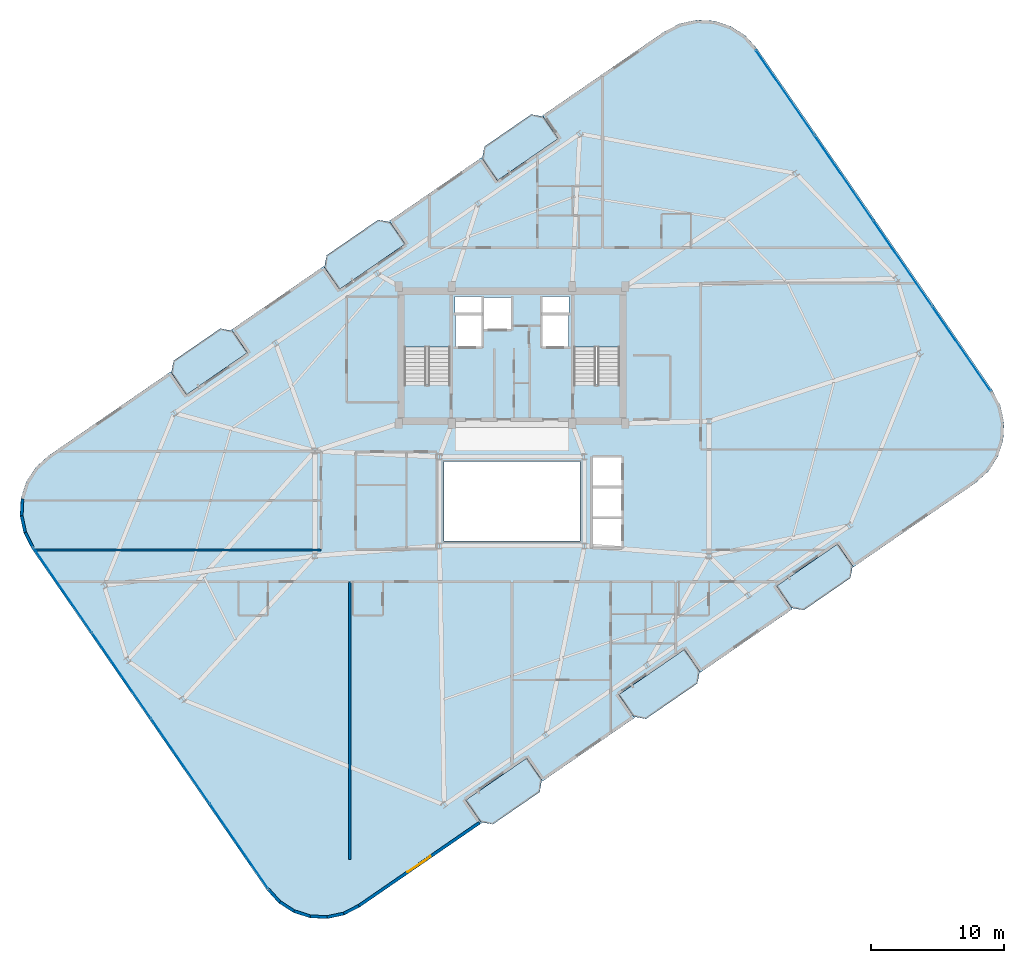
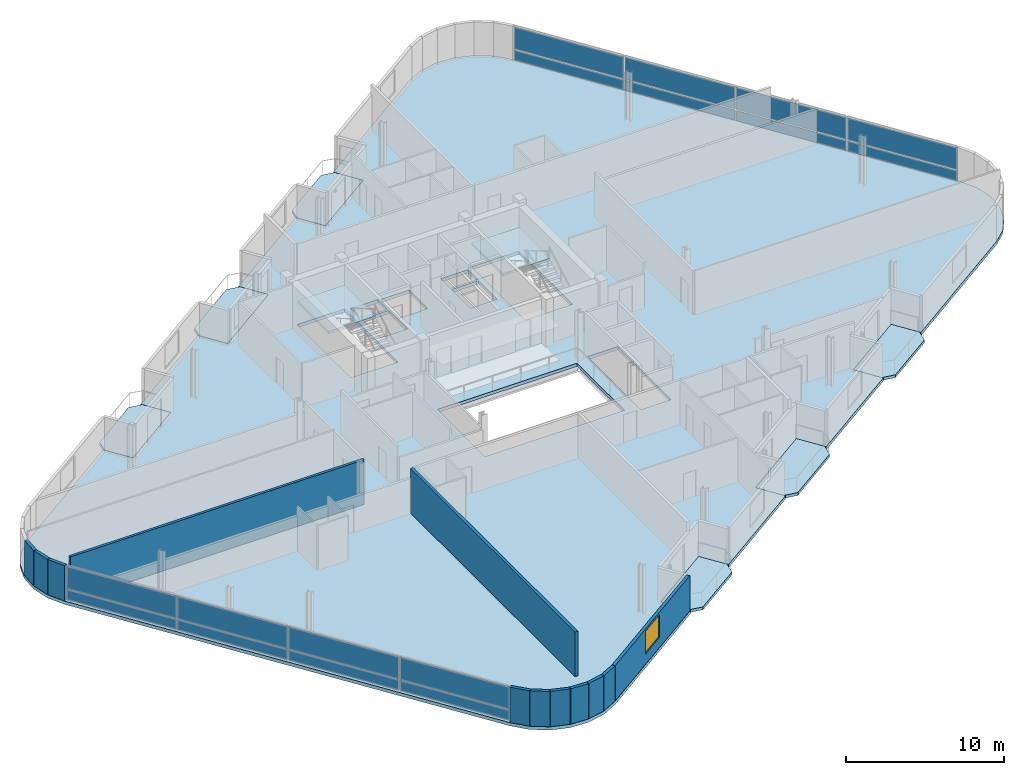
# One storey, part 13 of 21: 16 plates, 12 walls, 9 slabs, 1 window, 1 opening, 4 elements without a shape of their own.
"""IFC4 building model written with IfcOpenShell, lengths in metres."""

from ifc_helpers import new_model, si_unit, direction, frame, frame_2d, origin, origin_2d, place, context, subcontext, project, spatial, polyline, rectangle, outline, extrude, source, transform, mapped, material, layer, layer_set, type_object, element, fill, aggregate, save


model = new_model("IFC4")

# Units and contexts
model_context = context("Model", 3, precision=1e-05, world=origin(), true_north=direction((0.0, 1.0)))
body_context = subcontext(model_context, "Body", "Model", "MODEL_VIEW")
ifc_project = project(units=[si_unit("LENGTHUNIT", "METRE"), si_unit("AREAUNIT", "SQUARE_METRE"), si_unit("VOLUMEUNIT", "CUBIC_METRE"), si_unit("PLANEANGLEUNIT", "RADIAN"), si_unit("MASSUNIT", "GRAM", prefix="KILO")], contexts=[model_context])

# Site, building, storey
site_placement = place(None, origin())
site = spatial("IfcSite", under=ifc_project, at=site_placement, CompositionType="ELEMENT")
building_placement = place(site_placement, origin())
building = spatial("IfcBuilding", under=site, at=building_placement, Name="Varnelok Gate Tower", CompositionType="ELEMENT")
storey_placement = place(building_placement, frame((0.0, 0.0, 276.699951171875)))
storey = spatial("IfcBuildingStorey", under=building, at=storey_placement, Name="L71", CompositionType="ELEMENT", Elevation=276.699951171875)

# Slabs
ifc_material_1 = material(Name="Concrete C45/55", Category="concrete")
ifc_layer_1 = layer(ifc_material_1, 0.219970703125)
ifc_layer_set_1 = layer_set([ifc_layer_1], Name="Concrete C45/55")
slab_type_1 = type_object("IfcSlabType", Name="SLB-BALC-220", PredefinedType="FLOOR", material=ifc_layer_set_1)
slab_1_placement = place(storey_placement, frame((0.0, 0.0, -0.219970703125)))
element("IfcSlab", 1, at=slab_1_placement, inside=storey, type_object=slab_type_1, Name="L71 South Hollow Balcony 1", PredefinedType="FLOOR", context=body_context, shape_type="SweptSolid", body=[
    extrude(outline(polyline([(36.856201171875, -1.207275390625), (37.76025390625, -1.373779296875), (41.274169921875, 1.046630859375), (41.440673828125, 1.95068359375), (40.30615234375, 3.597900390625), (35.7216796875, 0.439697265625), (36.856201171875, -1.207275390625)])), origin(), (0.0, 0.0, 1.0), 0.219970703125),
])
slab_2_placement = place(storey_placement, frame((0.0, 0.0, -0.219970703125)))
element("IfcSlab", 2, at=slab_2_placement, inside=storey, type_object=slab_type_1, Name="L71 South Hollow Balcony 2", PredefinedType="FLOOR", context=body_context, shape_type="SweptSolid", body=[
    extrude(outline(polyline([(48.3583984375, 6.7158203125), (49.262451171875, 6.54931640625), (53.133056640625, 9.21533203125), (53.299560546875, 10.119384765625), (52.1650390625, 11.7666015625), (47.223876953125, 8.36279296875), (48.3583984375, 6.7158203125)])), origin(), (0.0, 0.0, 1.0), 0.219970703125),
])
slab_3_placement = place(storey_placement, frame((0.0, 0.0, -0.219970703125)))
element("IfcSlab", 3, at=slab_3_placement, inside=storey, type_object=slab_type_1, Name="L71 South Hollow Balcony 3", PredefinedType="FLOOR", context=body_context, shape_type="SweptSolid", body=[
    extrude(outline(polyline([(60.21728515625, 14.884521484375), (61.121337890625, 14.718017578125), (64.63525390625, 17.138427734375), (64.802001953125, 18.04248046875), (63.66748046875, 19.689453125), (59.082763671875, 16.531494140625), (60.21728515625, 14.884521484375)])), origin(), (0.0, 0.0, 1.0), 0.219970703125),
])
slab_4_placement = place(storey_placement, frame((0.0, 0.0, -0.219970703125)))
element("IfcSlab", 4, at=slab_4_placement, inside=storey, type_object=slab_type_1, Name="L71 North Hollow Balcony 1", PredefinedType="FLOOR", context=body_context, shape_type="SweptSolid", body=[
    extrude(outline(polyline([(14.732666015625, 30.910400390625), (19.3173828125, 34.068603515625), (18.1826171875, 35.715576171875), (17.27880859375, 35.882080078125), (13.7646484375, 33.461669921875), (13.59814453125, 32.5576171875), (14.732666015625, 30.910400390625)])), origin(), (0.0, 0.0, 1.0), 0.219970703125),
])
slab_5_placement = place(storey_placement, frame((0.0, 0.0, -0.219970703125)))
element("IfcSlab", 5, at=slab_5_placement, inside=storey, type_object=slab_type_1, Name="L71 North Hollow Balcony 2", PredefinedType="FLOOR", context=body_context, shape_type="SweptSolid", body=[
    extrude(outline(polyline([(26.23486328125, 38.83349609375), (31.176025390625, 42.2373046875), (30.04150390625, 43.88427734375), (29.1376953125, 44.05078125), (25.26708984375, 41.384521484375), (25.100341796875, 40.480712890625), (26.23486328125, 38.83349609375)])), origin(), (0.0, 0.0, 1.0), 0.219970703125),
])
slab_6_placement = place(storey_placement, frame((0.0, 0.0, -0.219970703125)))
element("IfcSlab", 6, at=slab_6_placement, inside=storey, type_object=slab_type_1, Name="L71 North Hollow Balcony 3", PredefinedType="FLOOR", context=body_context, shape_type="SweptSolid", body=[
    extrude(outline(polyline([(38.09375, 47.002197265625), (42.678466796875, 50.16015625), (41.5439453125, 51.807373046875), (40.639892578125, 51.973876953125), (37.125732421875, 49.55322265625), (36.959228515625, 48.6494140625), (38.09375, 47.002197265625)])), origin(), (0.0, 0.0, 1.0), 0.219970703125),
])

# Stair, slab
ifc_material_2 = material(Name="Concrete C50/60", Category="concrete")
stair_type = type_object("IfcStairType", Name="STR-CORE-1650", PredefinedType="HALF_TURN_STAIR", material=ifc_material_2)
stair_1_placement = place(storey_placement, origin())
stair_1 = element("IfcStair", 7, at=stair_1_placement, inside=storey, type_object=stair_type, Name="L71 Exit Stair ST-1", PredefinedType="HALF_TURN_STAIR")
ifc_layer_2 = layer(ifc_material_1, 0.199951171875)
ifc_layer_set_2 = layer_set([ifc_layer_2], Name="Concrete C45/55")
slab_type_2 = type_object("IfcSlabType", Name="SLB-LAND-200", PredefinedType="LANDING", material=ifc_layer_set_2)
slab_7_placement = place(storey_placement, frame((0.0, 0.0, 1.650146484375)))
slab_7 = element("IfcSlab", 8, at=slab_7_placement, type_object=slab_type_2, Name="ST-1 landing 1", PredefinedType="LANDING", context=body_context, shape_type="SweptSolid", body=[
    extrude(outline(polyline([(34.550048828125, 34.5), (34.550048828125, 38.449951171875), (31.10009765625, 38.449951171875), (31.10009765625, 34.5), (34.550048828125, 34.5)])), origin(), (0.0, 0.0, 1.0), 0.199951171875),
])
aggregate(stair_1, [slab_7])

stair_2_placement = place(storey_placement, origin())
stair_2 = element("IfcStair", 9, at=stair_2_placement, inside=storey, type_object=stair_type, Name="L71 Exit Stair ST-2", PredefinedType="HALF_TURN_STAIR")
slab_8_placement = place(storey_placement, frame((0.0, 0.0, 1.650146484375)))
slab_8 = element("IfcSlab", 10, at=slab_8_placement, type_object=slab_type_2, Name="ST-2 landing 1", PredefinedType="LANDING", context=body_context, shape_type="SweptSolid", body=[
    extrude(outline(polyline([(47.300048828125, 34.5), (47.300048828125, 38.449951171875), (43.85009765625, 38.449951171875), (43.85009765625, 34.5), (47.300048828125, 34.5)])), origin(), (0.0, 0.0, 1.0), 0.199951171875),
])
aggregate(stair_2, [slab_8])

# Slab
ifc_layer_3 = layer(ifc_material_2, 0.25)
ifc_layer_set_3 = layer_set([ifc_layer_3], Name="Concrete C50/60")
slab_type_3 = type_object("IfcSlabType", Name="SLB-TYP-250", PredefinedType="FLOOR", material=ifc_layer_set_3)
slab_9_placement = place(storey_placement, frame((0.0, 0.0, -0.25)))
element("IfcSlab", 11, at=slab_9_placement, inside=storey, type_object=slab_type_3, Name="L71 Structural Floor Slab", PredefinedType="FLOOR", context=body_context, shape_type="SweptSolid", body=[
    extrude(outline(polyline([(20.79052734375, -6.32373046875), (21.664794921875, -7.292724609375), (22.76025390625, -8.00244140625), (24.002197265625, -8.404541015625), (25.3056640625, -8.471435546875), (26.58203125, -8.19873046875), (27.744384765625, -7.60498046875), (36.25439453125, -1.7431640625), (36.912841796875, -1.28955078125), (35.7216796875, 0.439697265625), (40.30615234375, 3.597900390625), (41.49755859375, 1.868408203125), (48.4150390625, 6.63330078125), (47.223876953125, 8.36279296875), (52.1650390625, 11.7666015625), (53.356201171875, 10.037109375), (60.27392578125, 14.802001953125), (59.082763671875, 16.531494140625), (63.66748046875, 19.689453125), (64.858642578125, 17.960205078125), (65.51708984375, 18.413818359375), (74.027099609375, 24.275390625), (74.99609375, 25.14990234375), (75.705810546875, 26.245361328125), (76.10791015625, 27.487060546875), (76.1748046875, 28.79052734375), (75.902099609375, 30.067138671875), (75.308349609375, 31.2294921875), (57.609619140625, 56.923583984375), (56.735107421875, 57.892822265625), (55.6396484375, 58.6025390625), (54.39794921875, 59.00439453125), (53.094482421875, 59.071533203125), (51.81787109375, 58.798828125), (50.655517578125, 58.205078125), (42.145751953125, 52.34326171875), (41.487060546875, 51.8896484375), (42.678466796875, 50.16015625), (38.09375, 47.002197265625), (36.902587890625, 48.731689453125), (29.98486328125, 43.966552734375), (31.176025390625, 42.2373046875), (26.23486328125, 38.83349609375), (25.043701171875, 40.56298828125), (18.1259765625, 35.7978515625), (19.3173828125, 34.068603515625), (14.732666015625, 30.910400390625), (13.54150390625, 32.639892578125), (12.8828125, 32.186279296875), (4.373046875, 26.324462890625), (3.40380859375, 25.4501953125), (2.694091796875, 24.354736328125), (2.292236328125, 23.11279296875), (2.22509765625, 21.809326171875), (2.497802734375, 20.532958984375), (3.091796875, 19.37060546875), (20.79052734375, -6.32373046875)]), holes=[polyline([(34.550048828125, 31.679931640625), (34.550048828125, 38.449951171875), (31.10009765625, 38.449951171875), (31.10009765625, 31.679931640625), (34.550048828125, 31.679931640625)]), polyline([(47.300048828125, 31.679931640625), (47.300048828125, 38.449951171875), (43.85009765625, 38.449951171875), (43.85009765625, 31.679931640625), (47.300048828125, 31.679931640625)]), polyline([(34.949951171875, 34.550048828125), (36.89990234375, 34.550048828125), (36.89990234375, 36.89990234375), (34.949951171875, 36.89990234375), (34.949951171875, 34.550048828125)]), polyline([(41.5, 34.550048828125), (43.449951171875, 34.550048828125), (43.449951171875, 36.89990234375), (41.5, 36.89990234375), (41.5, 34.550048828125)]), polyline([(37.050048828125, 35.85009765625), (39.14990234375, 35.85009765625), (39.14990234375, 38.199951171875), (37.050048828125, 38.199951171875), (37.050048828125, 35.85009765625)]), polyline([(45.25, 19.449951171875), (47.449951171875, 19.449951171875), (47.449951171875, 26.199951171875), (45.25, 26.199951171875), (45.25, 19.449951171875)]), polyline([(34.919921875, 37.080078125), (36.89990234375, 37.080078125), (36.89990234375, 38.280029296875), (34.919921875, 38.280029296875), (34.919921875, 37.080078125)]), polyline([(41.5, 37.080078125), (43.47998046875, 37.080078125), (43.47998046875, 38.280029296875), (41.5, 38.280029296875), (41.5, 37.080078125)]), polyline([(34.10009765625, 19.89990234375), (44.300048828125, 19.89990234375), (44.300048828125, 25.89990234375), (34.10009765625, 25.89990234375), (34.10009765625, 19.89990234375)])]), origin(), (0.0, 0.0, 1.0), 0.25),
])

# Curtain wall, plates
ifc_material_3 = material(Name="Anodized Aluminum Alloy 6063-T6", Category="aluminium")
ifc_layer_4 = layer(ifc_material_3, 0.179931640625)
ifc_layer_set_4 = layer_set([ifc_layer_4], Name="Anodized Aluminum Alloy 6063-T6")
curtain_wall_type = type_object("IfcCurtainWallType", Name="CW4-RESIDENCE-VISION", PredefinedType="USERDEFINED", material=ifc_layer_set_4)
curtain_wall_1_placement = place(storey_placement, origin())
curtain_wall_1 = element("IfcCurtainWall", 12, at=curtain_wall_1_placement, inside=storey, type_object=curtain_wall_type, Name="L71 West End Vision Curtain Wall", ObjectType="UNITISED CURTAIN WALL", PredefinedType="USERDEFINED")
ifc_material_4 = material(Name="Low-E Laminated Double Glazing IGU", Category="glass")
ifc_layer_5 = layer(ifc_material_4, 0.035888671875)
ifc_layer_set_5 = layer_set([ifc_layer_5], Name="Low-E Laminated Double Glazing IGU")
plate_type = type_object("IfcPlateType", Name="CW-PNL-IGU36", PredefinedType="CURTAIN_PANEL", material=ifc_layer_set_5)
shared_shape_1 = source(origin(), body_context, "Body", "SweptSolid", [
    extrude(rectangle(XDim=7.6875, YDim=0.035888671875, at=origin_2d()), origin(), (0.0, 0.0, 1.0), 0.78759765625),
])
plate_1_placement = place(storey_placement, frame((18.682861328125, -3.01708984375, 0.074951171875), z_axis=(0.0, 0.0, 1.0), x_axis=(-0.567269395376, 0.823532290241, 0.0)))
plate_1 = element("IfcPlate", 13, at=plate_1_placement, type_object=plate_type, Name="CW4 panel 1.1", PredefinedType="CURTAIN_PANEL", context=body_context, shape_type="MappedRepresentation", body=[
    mapped(shared_shape_1, transform((0.0, 0.0, 0.0), scale=1.0)),
])
plate_2_placement = place(storey_placement, frame((5.429931640625, 16.22265625, 0.074951171875), z_axis=(0.0, 0.0, 1.0), x_axis=(-0.567269395376, 0.823532290241, 0.0)))
plate_2 = element("IfcPlate", 14, at=plate_2_placement, type_object=plate_type, Name="CW4 panel 4.1", PredefinedType="CURTAIN_PANEL", context=body_context, shape_type="MappedRepresentation", body=[
    mapped(shared_shape_1, transform((0.0, 0.0, 0.0), scale=1.0)),
])

curtain_wall_2_placement = place(storey_placement, origin())
curtain_wall_2 = element("IfcCurtainWall", 15, at=curtain_wall_2_placement, inside=storey, type_object=curtain_wall_type, Name="L71 East End Vision Curtain Wall", ObjectType="UNITISED CURTAIN WALL", PredefinedType="USERDEFINED")
plate_3_placement = place(storey_placement, frame((59.71728515625, 53.6171875, 0.074951171875), z_axis=(0.0, 0.0, 1.0), x_axis=(0.567269395376, -0.823532290241, 0.0)))
plate_3 = element("IfcPlate", 16, at=plate_3_placement, type_object=plate_type, Name="CW4 panel 1.1", PredefinedType="CURTAIN_PANEL", context=body_context, shape_type="MappedRepresentation", body=[
    mapped(shared_shape_1, transform((0.0, 0.0, 0.0), scale=1.0)),
])
plate_4_placement = place(storey_placement, frame((72.969970703125, 34.377197265625, 0.074951171875), z_axis=(0.0, 0.0, 1.0), x_axis=(0.567269395376, -0.823532290241, 0.0)))
plate_4 = element("IfcPlate", 17, at=plate_4_placement, type_object=plate_type, Name="CW4 panel 4.1", PredefinedType="CURTAIN_PANEL", context=body_context, shape_type="MappedRepresentation", body=[
    mapped(shared_shape_1, transform((0.0, 0.0, 0.0), scale=1.0)),
])

# Plate
shared_shape_2 = source(origin(), body_context, "Body", "SweptSolid", [
    extrude(rectangle(XDim=7.6875, YDim=0.035888671875, at=origin_2d()), origin(), (0.0, 0.0, 1.0), 1.717529296875),
])
plate_5_placement = place(storey_placement, frame((18.682861328125, -3.01708984375, 0.9375), z_axis=(0.0, 0.0, 1.0), x_axis=(-0.567269395376, 0.823532290241, 0.0)))
plate_5 = element("IfcPlate", 18, at=plate_5_placement, type_object=plate_type, Name="CW4 panel 1.2", PredefinedType="CURTAIN_PANEL", context=body_context, shape_type="MappedRepresentation", body=[
    mapped(shared_shape_2, transform((0.0, 0.0, 0.0), scale=1.0)),
])

plate_6_placement = place(storey_placement, frame((5.429931640625, 16.22265625, 0.9375), z_axis=(0.0, 0.0, 1.0), x_axis=(-0.567269395376, 0.823532290241, 0.0)))
plate_6 = element("IfcPlate", 19, at=plate_6_placement, type_object=plate_type, Name="CW4 panel 4.2", PredefinedType="CURTAIN_PANEL", context=body_context, shape_type="MappedRepresentation", body=[
    mapped(shared_shape_2, transform((0.0, 0.0, 0.0), scale=1.0)),
])

plate_7_placement = place(storey_placement, frame((59.71728515625, 53.6171875, 0.9375), z_axis=(0.0, 0.0, 1.0), x_axis=(0.567269395376, -0.823532290241, 0.0)))
plate_7 = element("IfcPlate", 20, at=plate_7_placement, type_object=plate_type, Name="CW4 panel 1.2", PredefinedType="CURTAIN_PANEL", context=body_context, shape_type="MappedRepresentation", body=[
    mapped(shared_shape_2, transform((0.0, 0.0, 0.0), scale=1.0)),
])

plate_8_placement = place(storey_placement, frame((72.969970703125, 34.377197265625, 0.9375), z_axis=(0.0, 0.0, 1.0), x_axis=(0.567269395376, -0.823532290241, 0.0)))
plate_8 = element("IfcPlate", 21, at=plate_8_placement, type_object=plate_type, Name="CW4 panel 4.2", PredefinedType="CURTAIN_PANEL", context=body_context, shape_type="MappedRepresentation", body=[
    mapped(shared_shape_2, transform((0.0, 0.0, 0.0), scale=1.0)),
])

shared_shape_3 = source(origin(), body_context, "Body", "SweptSolid", [
    extrude(rectangle(XDim=7.72509765625, YDim=0.035888671875, at=origin_2d()), origin(), (0.0, 0.0, 1.0), 0.78759765625),
])
plate_9_placement = place(storey_placement, frame((14.268798828125, 3.39111328125, 0.074951171875), z_axis=(0.0, 0.0, 1.0), x_axis=(-0.567269395376, 0.823532290241, 0.0)))
plate_9 = element("IfcPlate", 22, at=plate_9_placement, type_object=plate_type, Name="CW4 panel 2.1", PredefinedType="CURTAIN_PANEL", context=body_context, shape_type="MappedRepresentation", body=[
    mapped(shared_shape_3, transform((0.0, 0.0, 0.0), scale=1.0)),
])

plate_10_placement = place(storey_placement, frame((9.843994140625, 9.814453125, 0.074951171875), z_axis=(0.0, 0.0, 1.0), x_axis=(-0.567269395376, 0.823532290241, 0.0)))
plate_10 = element("IfcPlate", 23, at=plate_10_placement, type_object=plate_type, Name="CW4 panel 3.1", PredefinedType="CURTAIN_PANEL", context=body_context, shape_type="MappedRepresentation", body=[
    mapped(shared_shape_3, transform((0.0, 0.0, 0.0), scale=1.0)),
])

plate_11_placement = place(storey_placement, frame((64.13134765625, 47.208984375, 0.074951171875), z_axis=(0.0, 0.0, 1.0), x_axis=(0.567269395376, -0.823532290241, 0.0)))
plate_11 = element("IfcPlate", 24, at=plate_11_placement, type_object=plate_type, Name="CW4 panel 2.1", PredefinedType="CURTAIN_PANEL", context=body_context, shape_type="MappedRepresentation", body=[
    mapped(shared_shape_3, transform((0.0, 0.0, 0.0), scale=1.0)),
])

plate_12_placement = place(storey_placement, frame((68.555908203125, 40.785400390625, 0.074951171875), z_axis=(0.0, 0.0, 1.0), x_axis=(0.567269395376, -0.823532290241, 0.0)))
plate_12 = element("IfcPlate", 25, at=plate_12_placement, type_object=plate_type, Name="CW4 panel 3.1", PredefinedType="CURTAIN_PANEL", context=body_context, shape_type="MappedRepresentation", body=[
    mapped(shared_shape_3, transform((0.0, 0.0, 0.0), scale=1.0)),
])

shared_shape_4 = source(origin(), body_context, "Body", "SweptSolid", [
    extrude(rectangle(XDim=7.72509765625, YDim=0.035888671875, at=origin_2d()), origin(), (0.0, 0.0, 1.0), 1.717529296875),
])
plate_13_placement = place(storey_placement, frame((14.268798828125, 3.39111328125, 0.9375), z_axis=(0.0, 0.0, 1.0), x_axis=(-0.567269395376, 0.823532290241, 0.0)))
plate_13 = element("IfcPlate", 26, at=plate_13_placement, type_object=plate_type, Name="CW4 panel 2.2", PredefinedType="CURTAIN_PANEL", context=body_context, shape_type="MappedRepresentation", body=[
    mapped(shared_shape_4, transform((0.0, 0.0, 0.0), scale=1.0)),
])

plate_14_placement = place(storey_placement, frame((9.843994140625, 9.814453125, 0.9375), z_axis=(0.0, 0.0, 1.0), x_axis=(-0.567269395376, 0.823532290241, 0.0)))
plate_14 = element("IfcPlate", 27, at=plate_14_placement, type_object=plate_type, Name="CW4 panel 3.2", PredefinedType="CURTAIN_PANEL", context=body_context, shape_type="MappedRepresentation", body=[
    mapped(shared_shape_4, transform((0.0, 0.0, 0.0), scale=1.0)),
])

aggregate(curtain_wall_1, [plate_1, plate_5, plate_9, plate_13, plate_10, plate_14, plate_2, plate_6])

plate_15_placement = place(storey_placement, frame((64.13134765625, 47.208984375, 0.9375), z_axis=(0.0, 0.0, 1.0), x_axis=(0.567269395376, -0.823532290241, 0.0)))
plate_15 = element("IfcPlate", 28, at=plate_15_placement, type_object=plate_type, Name="CW4 panel 2.2", PredefinedType="CURTAIN_PANEL", context=body_context, shape_type="MappedRepresentation", body=[
    mapped(shared_shape_4, transform((0.0, 0.0, 0.0), scale=1.0)),
])

plate_16_placement = place(storey_placement, frame((68.555908203125, 40.785400390625, 0.9375), z_axis=(0.0, 0.0, 1.0), x_axis=(0.567269395376, -0.823532290241, 0.0)))
plate_16 = element("IfcPlate", 29, at=plate_16_placement, type_object=plate_type, Name="CW4 panel 3.2", PredefinedType="CURTAIN_PANEL", context=body_context, shape_type="MappedRepresentation", body=[
    mapped(shared_shape_4, transform((0.0, 0.0, 0.0), scale=1.0)),
])

aggregate(curtain_wall_2, [plate_3, plate_7, plate_11, plate_15, plate_12, plate_16, plate_4, plate_8])

# Walls
ifc_layer_6 = layer(ifc_material_1, 0.219970703125)
ifc_layer_set_6 = layer_set([ifc_layer_6], Name="Concrete C45/55")
wall_type_1 = type_object("IfcWallType", Name="EW-BALC-220", PredefinedType="SOLIDWALL", material=ifc_layer_set_6)
wall_1_placement = place(storey_placement, frame((20.89013671875, -6.255126953125, 0.0), z_axis=(0.0, 0.0, 1.0), x_axis=(0.669949059844, -0.74240706975, 0.0)))
element("IfcWall", 30, at=wall_1_placement, inside=storey, type_object=wall_type_1, Name="L71 Perimeter Facade Closure Wall 1", PredefinedType="SOLIDWALL", context=body_context, shape_type="SweptSolid", body=[
    extrude(rectangle(XDim=1.273681640625, YDim=0.219970703125, at=frame_2d((0.63671875, 0.0))), origin(), (0.0, 0.0, 1.0), 2.72998046875),
])
for number, where, z_axis, x_axis, name in (
    (31, (21.764404296875, -7.21435546875, 0.0), (0.0, 0.0, 1.0), (0.839229000731, -0.543778157277, 0.0), "L71 Perimeter Facade Closure Wall 2"),
    (32, (22.836181640625, -7.90087890625, 0.0), (0.0, 0.0, 1.0), (0.951385542995, -0.308002513919, 0.0), "L71 Perimeter Facade Closure Wall 3"),
    (33, (24.049072265625, -8.286865234375, 0.0), (0.0, 0.0, 1.0), (0.998686637427, -0.051234756022, 0.0), "L71 Perimeter Facade Closure Wall 4"),
):
    element("IfcWall", number, at=place(storey_placement, frame(where, z_axis=z_axis, x_axis=x_axis)), inside=storey, type_object=wall_type_1, Name=name, PredefinedType="SOLIDWALL", context=body_context, shape_type="SweptSolid", body=[
        extrude(rectangle(XDim=1.24853515625, YDim=0.219970703125, at=frame_2d((0.624267578125, 0.0))), origin(), (0.0, 0.0, 1.0), 2.72998046875),
    ])
wall_2_placement = place(storey_placement, frame((25.3203125, -8.345703125, 0.0), z_axis=(0.0, 0.0, 1.0), x_axis=(0.977916710262, 0.208994994656, 0.0)))
element("IfcWall", 34, at=wall_2_placement, inside=storey, type_object=wall_type_1, Name="L71 Perimeter Facade Closure Wall 5", PredefinedType="SOLIDWALL", context=body_context, shape_type="SweptSolid", body=[
    extrude(rectangle(XDim=1.248779296875, YDim=0.219970703125, at=frame_2d((0.62451171875, 0.0))), origin(), (0.0, 0.0, 1.0), 2.72998046875),
])
wall_3_placement = place(storey_placement, frame((26.563720703125, -8.073486328125, 0.0), z_axis=(0.0, 0.0, 1.0), x_axis=(0.890508147271, 0.454967295137, 0.0)))
element("IfcWall", 35, at=wall_3_placement, inside=storey, type_object=wall_type_1, Name="L71 Perimeter Facade Closure Wall 6", PredefinedType="SOLIDWALL", context=body_context, shape_type="SweptSolid", body=[
    extrude(rectangle(XDim=1.2568359375, YDim=0.219970703125, at=frame_2d((0.62841796875, 0.0))), origin(), (0.0, 0.0, 1.0), 2.72998046875),
])

# Wall, opening, window
wall_4_placement = place(storey_placement, frame((27.70361328125, -7.487548828125, 0.0), z_axis=(0.0, 0.0, 1.0), x_axis=(0.823529068157, 0.567274073003, 0.0)))
wall_4 = element("IfcWall", 36, at=wall_4_placement, inside=storey, type_object=wall_type_1, Name="L71 Perimeter Facade Closure Wall 7", PredefinedType="SOLIDWALL", context=body_context, shape_type="SweptSolid", body=[
    extrude(rectangle(XDim=10.980224609375, YDim=0.219970703125, at=frame_2d((5.490234375, 0.0))), origin(), (0.0, 0.0, 1.0), 2.72998046875),
])
opening_placement = place(wall_4_placement, frame((4.440185546875, 0.0, 0.800048828125)))
opening = element("IfcOpeningElement", 37, at=opening_placement, cuts=wall_4, Name="Opening WN4", PredefinedType="OPENING", context=body_context, shape_type="SweptSolid", body=[
    extrude(rectangle(XDim=2.10009765625, YDim=1.75, at=frame_2d((1.050048828125, 0.875))), frame((0.0, 0.119873046875, 0.0), z_axis=(0.0, -1.0, 0.0), x_axis=(1.0, 0.0, 0.0)), (0.0, 0.0, 1.0), 0.239990234375),
])
window_type = type_object("IfcWindowType", Name="WN-SUI-2100", PartitioningType="SINGLE_PANEL", PredefinedType="WINDOW", material=ifc_material_4)
window_placement = place(opening_placement, origin())
window = element("IfcWindow", 38, at=window_placement, inside=storey, type_object=window_type, Name="L71 Perimeter Vision Window 7", OverallHeight=1.75, OverallWidth=2.10009765625, PartitioningType="SINGLE_PANEL", PredefinedType="WINDOW", context=body_context, shape_type="SweptSolid", body=[
    extrude(rectangle(XDim=2.10009765625, YDim=1.75, at=frame_2d((1.050048828125, 0.875))), frame((0.0, 0.030029296875, 0.0), z_axis=(0.0, -1.0, 0.0), x_axis=(1.0, 0.0, 0.0)), (0.0, 0.0, 1.0), 0.06005859375),
])
fill(opening, window)

# Walls
wall_5_placement = place(storey_placement, frame((2.409912109375, 23.06591796875, 0.0), z_axis=(0.0, 0.0, 1.0), x_axis=(-0.051234756022, -0.998686637427, 0.0)))
element("IfcWall", 39, at=wall_5_placement, inside=storey, type_object=wall_type_1, Name="L71 Perimeter Facade Closure Wall 42", PredefinedType="SOLIDWALL", context=body_context, shape_type="SweptSolid", body=[
    extrude(rectangle(XDim=1.24853515625, YDim=0.219970703125, at=frame_2d((0.624267578125, 0.0))), origin(), (0.0, 0.0, 1.0), 2.72998046875),
])
for number, where, z_axis, x_axis, name in (
    (40, (2.35107421875, 21.794677734375, 0.0), (0.0, 0.0, 1.0), (0.208994994656, -0.977916710262, 0.0), "L71 Perimeter Facade Closure Wall 43"),
    (41, (2.623291015625, 20.55126953125, 0.0), (0.0, 0.0, 1.0), (0.454938817534, -0.890522696118, 0.0), "L71 Perimeter Facade Closure Wall 44"),
):
    element("IfcWall", number, at=place(storey_placement, frame(where, z_axis=z_axis, x_axis=x_axis)), inside=storey, type_object=wall_type_1, Name=name, PredefinedType="SOLIDWALL", context=body_context, shape_type="SweptSolid", body=[
        extrude(rectangle(XDim=1.248779296875, YDim=0.219970703125, at=frame_2d((0.62451171875, 0.0))), origin(), (0.0, 0.0, 1.0), 2.72998046875),
    ])
ifc_material_5 = material(Name="Gypsum Plasterboard Acoustic Partition", Category="gypsum")
ifc_layer_7 = layer(ifc_material_5, 0.179931640625)
ifc_layer_set_7 = layer_set([ifc_layer_7], Name="Gypsum Plasterboard Acoustic Partition")
wall_type_2 = type_object("IfcWallType", Name="PW-CORR-180", PredefinedType="PARTITIONING", material=ifc_layer_set_7)
wall_6_placement = place(storey_placement, frame((3.3916015625, 19.239990234375, 0.0), z_axis=(0.0, 0.0, 1.0), x_axis=(1.0, 0.0, 0.0)))
element("IfcWall", 42, at=wall_6_placement, inside=storey, type_object=wall_type_2, Name="Interior Partition", PredefinedType="PARTITIONING", context=body_context, shape_type="SweptSolid", body=[
    extrude(rectangle(XDim=21.45849609375, YDim=0.179931640625, at=frame_2d((10.729248046875, 0.0))), origin(), (0.0, 0.0, 1.0), 3.449951171875),
])
ifc_layer_8 = layer(ifc_material_5, 0.205078125)
ifc_layer_set_8 = layer_set([ifc_layer_8], Name="Gypsum Plasterboard Acoustic Partition")
wall_type_3 = type_object("IfcWallType", Name="PW-PARTY-200", PredefinedType="PARTITIONING", material=ifc_layer_set_8)
wall_7_placement = place(storey_placement, frame((27.0, -4.0, 0.0), z_axis=(0.0, 0.0, 1.0), x_axis=(0.0, 1.0, 0.0)))
element("IfcWall", 43, at=wall_7_placement, inside=storey, type_object=wall_type_3, Name="L71 South Party Wall 1", PredefinedType="PARTITIONING", context=body_context, shape_type="SweptSolid", body=[
    extrude(rectangle(XDim=20.85009765625, YDim=0.205078125, at=frame_2d((10.425048828125, 0.0))), origin(), (0.0, 0.0, 1.0), 3.449951171875),
])

save(model, "model.ifc")
